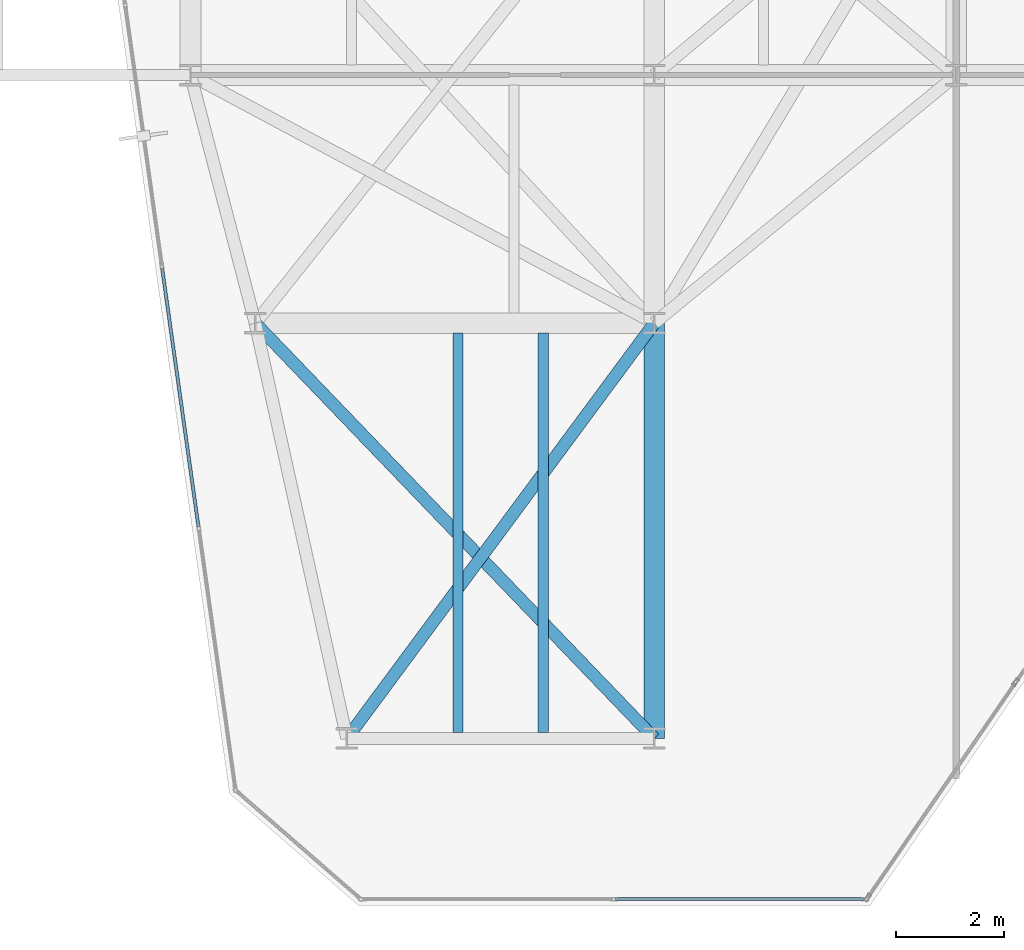
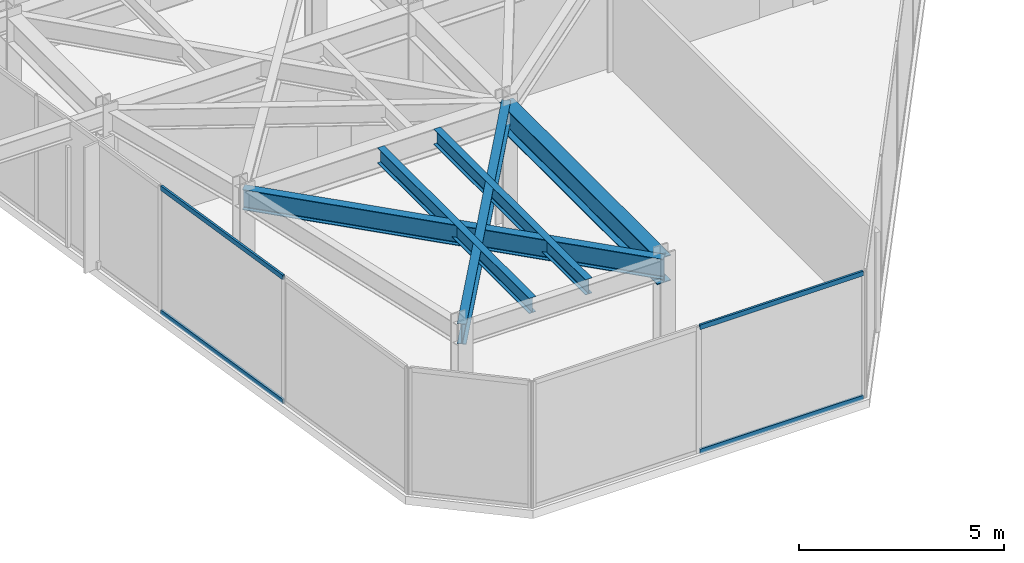
# One storey, part 3 of 26: 5 beams, 4 members, 2 elements without a shape of their own.
"""IFC4 building model written with IfcOpenShell, lengths in metres."""

from ifc_helpers import new_model, si_unit, direction, frame, origin, origin_2d, place, context, subcontext, project, spatial, hollow_rectangle, i_section, extrude, material, layer, layer_set, material_profile, profile_set, type_object, element, aggregate, save


model = new_model("IFC4")

# Units and contexts
model_context = context("Model", 3, precision=1e-05, world=origin(), true_north=direction((0.0, 1.0)))
body_context = subcontext(model_context, "Body", "Model", "MODEL_VIEW")
ifc_project = project(units=[si_unit("LENGTHUNIT", "METRE"), si_unit("AREAUNIT", "SQUARE_METRE"), si_unit("VOLUMEUNIT", "CUBIC_METRE"), si_unit("PLANEANGLEUNIT", "RADIAN"), si_unit("MASSUNIT", "GRAM", prefix="KILO")], contexts=[model_context])

# Site, building, storey
site_placement = place(None, origin())
site = spatial("IfcSite", under=ifc_project, at=site_placement, CompositionType="ELEMENT")
building_placement = place(site_placement, origin())
building = spatial("IfcBuilding", under=site, at=building_placement, Name="Kravanh Interchange Tower", CompositionType="ELEMENT")
storey_placement = place(building_placement, frame((0.0, 0.0, 204.5)))
storey = spatial("IfcBuildingStorey", under=building, at=storey_placement, Name="L49", CompositionType="ELEMENT", Elevation=204.5)

# Curtain wall, members
ifc_material_1 = material(Name="Anodised Bronze Aluminium", Category="aluminium")
ifc_layer = layer(ifc_material_1, 0.179931640625)
ifc_layer_set = layer_set([ifc_layer], Name="Unitised Curtain Wall System CW-Z3 Upper Office")
curtain_wall_type = type_object("IfcCurtainWallType", Name="Unitised Curtain Wall System CW-Z3 Upper Office", PredefinedType="NOTDEFINED", material=ifc_layer_set)
curtain_wall_1_placement = place(storey_placement, origin())
curtain_wall_1 = element("IfcCurtainWall", 1, at=curtain_wall_1_placement, inside=storey, type_object=curtain_wall_type, Name="L49 Unitised Curtain Wall CW-L49-01", PredefinedType="NOTDEFINED")
ifc_material_2 = material(Name="Anodised Bronze Aluminium", Category="aluminium")
ifc_material_profile_1 = material_profile(ifc_material_2, hollow_rectangle(XDim=0.06005859375, YDim=0.139892578125, WallThickness=0.00390625, at=origin_2d()), Name="ALU60X140X4")
ifc_profile_set_1 = profile_set([ifc_material_profile_1], Name="Anodised Bronze Aluminium")
member_type = type_object("IfcMemberType", Name="Curtain Wall Transom ALU60X140X4 Bronze", PredefinedType="USERDEFINED", material=ifc_profile_set_1)
member_1_placement = place(storey_placement, frame((18.748291015625, 18.42236328125, 0.030029296875), z_axis=(-0.139189127663, 0.990265816203, 0.0), x_axis=(-0.990265816203, -0.139189127663, 0.0)))
member_1 = element("IfcMember", 2, at=member_1_placement, type_object=member_type, Name="CW-Z3 transom 2.1", ObjectType="TRANSOM", PredefinedType="USERDEFINED", context=body_context, shape_type="SweptSolid", body=[
    extrude(hollow_rectangle(XDim=0.06005859375, YDim=0.139892578125, WallThickness=0.00390625, at=origin_2d()), origin(), (0.0, 0.0, 1.0), 4.83935546875),
])
member_2_placement = place(storey_placement, frame((18.748291015625, 18.42236328125, 3.72509765625), z_axis=(-0.139189127663, 0.990265816203, 0.0), x_axis=(-0.990265816203, -0.139189127663, 0.0)))
member_2 = element("IfcMember", 3, at=member_2_placement, type_object=member_type, Name="CW-Z3 transom 2.2", ObjectType="TRANSOM", PredefinedType="USERDEFINED", context=body_context, shape_type="SweptSolid", body=[
    extrude(hollow_rectangle(XDim=0.06005859375, YDim=0.139892578125, WallThickness=0.00390625, at=origin_2d()), origin(), (0.0, 0.0, 1.0), 4.83935546875),
])
aggregate(curtain_wall_1, [member_1, member_2])

curtain_wall_2_placement = place(storey_placement, origin())
curtain_wall_2 = element("IfcCurtainWall", 4, at=curtain_wall_2_placement, inside=storey, type_object=curtain_wall_type, Name="L49 Unitised Curtain Wall CW-L49-06", PredefinedType="NOTDEFINED")
member_3_placement = place(storey_placement, frame((31.076904296875, 11.52001953125, 0.030029296875), z_axis=(-1.0, 0.0, 0.0), x_axis=(0.0, -1.0, 0.0)))
member_3 = element("IfcMember", 5, at=member_3_placement, type_object=member_type, Name="CW-Z3 transom 1.1", ObjectType="TRANSOM", PredefinedType="USERDEFINED", context=body_context, shape_type="SweptSolid", body=[
    extrude(hollow_rectangle(XDim=0.06005859375, YDim=0.139892578125, WallThickness=0.00390625, at=origin_2d()), origin(), (0.0, 0.0, 1.0), 4.598876953125),
])
member_4_placement = place(storey_placement, frame((31.076904296875, 11.52001953125, 3.72509765625), z_axis=(-1.0, 0.0, 0.0), x_axis=(0.0, -1.0, 0.0)))
member_4 = element("IfcMember", 6, at=member_4_placement, type_object=member_type, Name="CW-Z3 transom 1.2", ObjectType="TRANSOM", PredefinedType="USERDEFINED", context=body_context, shape_type="SweptSolid", body=[
    extrude(hollow_rectangle(XDim=0.06005859375, YDim=0.139892578125, WallThickness=0.00390625, at=origin_2d()), origin(), (0.0, 0.0, 1.0), 4.598876953125),
])
aggregate(curtain_wall_2, [member_3, member_4])

# Beams
ifc_material_3 = material(Name="Structural Steel S355", Category="steel")
ifc_material_profile_2 = material_profile(ifc_material_3, i_section(OverallWidth=0.381103515625, OverallDepth=0.77294921875, WebThickness=0.0166015625, FlangeThickness=0.027099609375, FilletRadius=0.02490234375, at=origin_2d()), Name="W30X173")
ifc_profile_set_2 = profile_set([ifc_material_profile_2], Name="Structural Steel S355")
beam_type_1 = type_object("IfcBeamType", Name="Floor Beam W30X173 Structural Steel S355", PredefinedType="BEAM", material=ifc_profile_set_2)
beam_1_placement = place(storey_placement, frame((27.199951171875, 14.5, 3.368408203125), z_axis=(0.0, 1.0, 0.0), x_axis=(-1.0, 0.0, 0.0)))
element("IfcBeam", 7, at=beam_1_placement, inside=storey, type_object=beam_type_1, Name="L49 Primary Floor Girder 70", PredefinedType="BEAM", context=body_context, shape_type="SweptSolid", body=[
    extrude(i_section(OverallWidth=0.381103515625, OverallDepth=0.77294921875, WebThickness=0.0166015625, FlangeThickness=0.027099609375, FilletRadius=0.02490234375, at=origin_2d()), origin(), (0.0, 0.0, 1.0), 7.699951171875),
])
ifc_material_4 = material(Name="Structural Steel S355", Category="steel")
ifc_material_profile_3 = material_profile(ifc_material_4, i_section(OverallWidth=0.18994140625, OverallDepth=0.45703125, WebThickness=0.009033203125, FlangeThickness=0.014404296875, FilletRadius=0.01806640625, at=origin_2d()), Name="W18X50")
ifc_profile_set_3 = profile_set([ifc_material_profile_3], Name="Structural Steel S355")
beam_type_2 = type_object("IfcBeamType", Name="Floor Joist W18X50 Structural Steel S355", PredefinedType="JOIST", material=ifc_profile_set_3)
for number, where, z_axis, x_axis, name in (
    (8, (23.55810546875, 14.60888671875, 3.526611328125), (0.0, 1.0, 0.0), (-1.0, 0.0, 0.0), "L49 Secondary Floor Joist 1"),
    (9, (25.14208984375, 14.60888671875, 3.526611328125), (0.0, 1.0, 0.0), (-1.0, 0.0, 0.0), "L49 Secondary Floor Joist 2"),
):
    element("IfcBeam", number, at=place(storey_placement, frame(where, z_axis=z_axis, x_axis=x_axis)), inside=storey, type_object=beam_type_2, Name=name, PredefinedType="JOIST", context=body_context, shape_type="SweptSolid", body=[
        extrude(i_section(OverallWidth=0.18994140625, OverallDepth=0.45703125, WebThickness=0.009033203125, FlangeThickness=0.014404296875, FilletRadius=0.01806640625, at=origin_2d()), origin(), (0.0, 0.0, 1.0), 7.405517578125),
    ])
ifc_material_5 = material(Name="Structural Steel S355", Category="steel")
ifc_material_profile_4 = material_profile(ifc_material_5, i_section(OverallWidth=0.22802734375, OverallDepth=0.60791015625, WebThickness=0.01123046875, FlangeThickness=0.017333984375, FilletRadius=0.02197265625, at=origin_2d()), Name="W24X76")
ifc_profile_set_4 = profile_set([ifc_material_profile_4], Name="Structural Steel S355")
beam_type_3 = type_object("IfcBeamType", Name="Floor Spandrel W24X76 Structural Steel S355", PredefinedType="SPANDREL", material=ifc_profile_set_4)
beam_2_placement = place(storey_placement, frame((21.5, 14.5, 3.450927734375), z_axis=(0.59497703726, 0.803742698339, 0.0), x_axis=(-0.803742698339, 0.59497703726, 0.0)))
element("IfcBeam", 10, at=beam_2_placement, inside=storey, type_object=beam_type_3, Name="L49 Perimeter Spandrel 32", PredefinedType="SPANDREL", context=body_context, shape_type="SweptSolid", body=[
    extrude(i_section(OverallWidth=0.22802734375, OverallDepth=0.60791015625, WebThickness=0.01123046875, FlangeThickness=0.017333984375, FilletRadius=0.02197265625, at=origin_2d()), origin(), (0.0, 0.0, 1.0), 9.580078125),
])
beam_3_placement = place(storey_placement, frame((27.199951171875, 14.5, 3.450927734375), z_axis=(-0.692919091225, 0.721015348669, 0.0), x_axis=(-0.721015348669, -0.692919091225, 0.0)))
element("IfcBeam", 11, at=beam_3_placement, inside=storey, type_object=beam_type_3, Name="L49 Perimeter Spandrel 71", PredefinedType="SPANDREL", context=body_context, shape_type="SweptSolid", body=[
    extrude(i_section(OverallWidth=0.22802734375, OverallDepth=0.60791015625, WebThickness=0.01123046875, FlangeThickness=0.017333984375, FilletRadius=0.02197265625, at=origin_2d()), origin(), (0.0, 0.0, 1.0), 10.67919921875),
])

save(model, "model.ifc")
